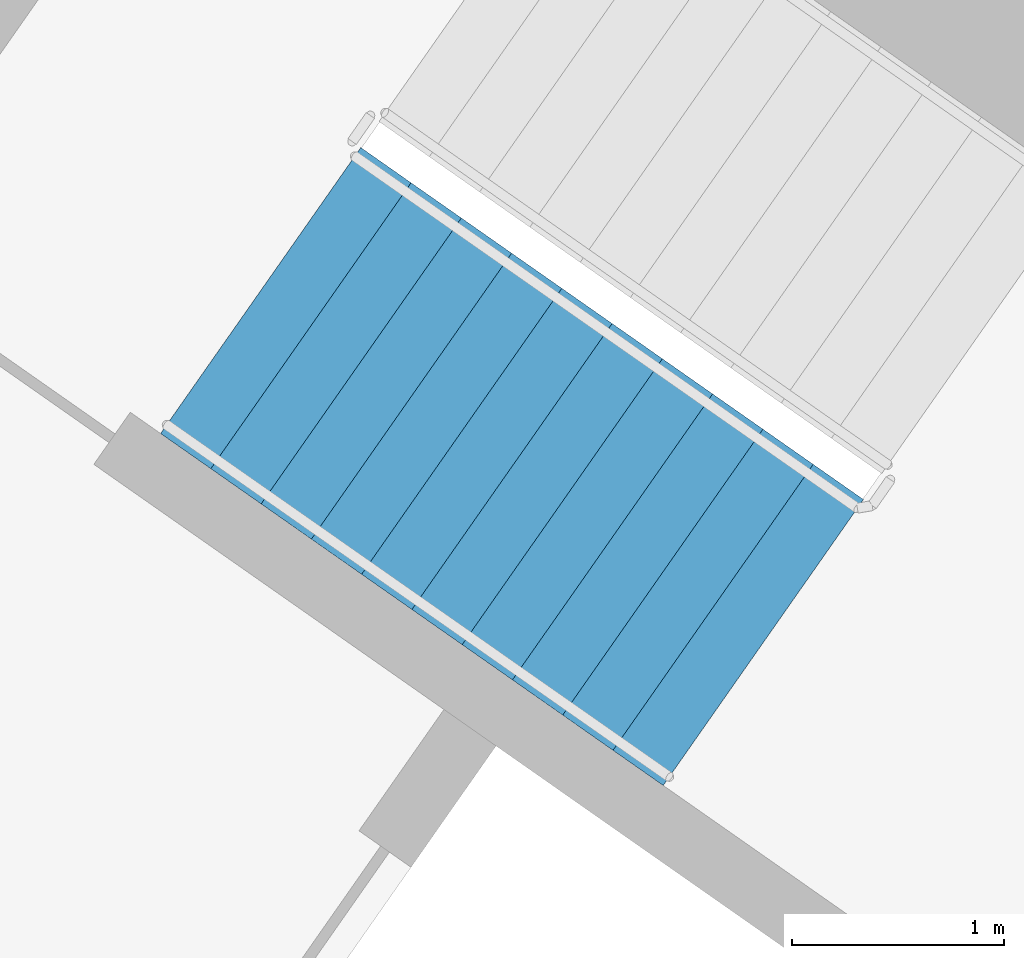
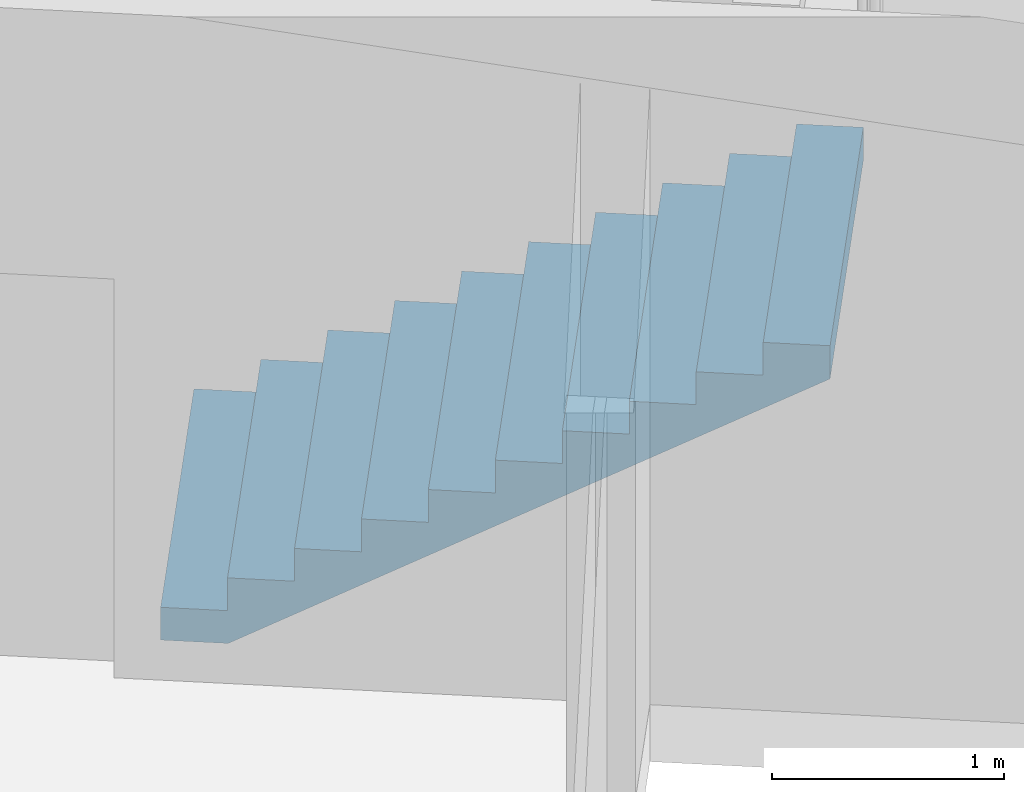
# One storey, part 13 of 30: 1 stair flight, 1 element without a shape of its own.
"""IFC4 building model written with IfcOpenShell, lengths in metres."""

from ifc_helpers import new_model, si_unit, direction, frame, origin, place, context, subcontext, project, spatial, faceted_brep, material, type_object, element, aggregate, save


model = new_model("IFC4")

# Units and contexts
model_context = context("Model", 3, precision=1e-05, world=origin(), true_north=direction((0.0, 1.0)))
body_context = subcontext(model_context, "Body", "Model", "MODEL_VIEW")
ifc_project = project(units=[si_unit("LENGTHUNIT", "METRE"), si_unit("AREAUNIT", "SQUARE_METRE"), si_unit("VOLUMEUNIT", "CUBIC_METRE"), si_unit("PLANEANGLEUNIT", "RADIAN"), si_unit("MASSUNIT", "GRAM", prefix="KILO")], contexts=[model_context])

# Site, building, storey
site_placement = place(None, origin())
site = spatial("IfcSite", under=ifc_project, at=site_placement, CompositionType="ELEMENT")
building_placement = place(site_placement, origin())
building = spatial("IfcBuilding", under=site, at=building_placement, Name="Qamariyya Broadcast Tower", CompositionType="ELEMENT")
storey_placement = place(building_placement, frame((0.0, 0.0, 125.300048828125)))
storey = spatial("IfcBuildingStorey", under=building, at=storey_placement, Name="L28", CompositionType="ELEMENT", Elevation=125.300048828125)

# Stair, stair flight
ifc_material = material(Name="Concrete C50/60", Category="concrete")
stair_type = type_object("IfcStairType", Name="Exit stair 22 risers of 173 mm", PredefinedType="HALF_TURN_STAIR", material=ifc_material)
stair_placement = place(storey_placement, origin())
stair = element("IfcStair", 1, at=stair_placement, inside=storey, type_object=stair_type, Name="L28 Stair W2", PredefinedType="HALF_TURN_STAIR")
stair_flight_type = type_object("IfcStairFlightType", Name="Exit stair flight 11 risers of 173 mm", PredefinedType="STRAIGHT", material=ifc_material)
stair_flight_placement = place(storey_placement, frame((-41.59130859375, -49.15966796875, 0.0), z_axis=(0.0, 0.0, 1.0), x_axis=(0.819152044289, -0.573576436351, 0.0)))
stair_flight = element("IfcStairFlight", 2, at=stair_flight_placement, type_object=stair_flight_type, Name="ST-W2 flight 1", NumberOfRisers=11, NumberOfTreads=10, PredefinedType="STRAIGHT", RiserHeight=0.172727273, TreadLength=0.29, context=body_context, shape_type="Brep", body=[
    faceted_brep([(0.0, 0.824951171875, 0.0), (0.0, 0.824951171875, 0.172607421875), (0.2900390625, 0.824951171875, 0.172607421875), (0.2900390625, 0.824951171875, 0.345458984375), (0.580078125, 0.824951171875, 0.345458984375), (0.580078125, 0.824951171875, 0.51806640625), (0.8701171875, 0.824951171875, 0.51806640625), (0.8701171875, 0.824951171875, 0.69091796875), (1.159912109375, 0.824951171875, 0.69091796875), (1.159912109375, 0.824951171875, 0.863525390625), (1.449951171875, 0.824951171875, 0.863525390625), (1.449951171875, 0.824951171875, 1.036376953125), (1.739990234375, 0.824951171875, 1.036376953125), (1.739990234375, 0.824951171875, 1.208984375), (2.030029296875, 0.824951171875, 1.208984375), (2.030029296875, 0.824951171875, 1.3818359375), (2.320068359375, 0.824951171875, 1.3818359375), (2.320068359375, 0.824951171875, 1.554443359375), (2.610107421875, 0.824951171875, 1.554443359375), (2.610107421875, 0.824951171875, 1.727294921875), (2.89990234375, 0.824951171875, 1.727294921875), (2.89990234375, 0.824951171875, 1.552734375), (0.29296875, 0.824951171875, 0.0), (0.29296875, -0.824951171875, 0.0), (2.89990234375, -0.824951171875, 1.552734375), (2.89990234375, -0.824951171875, 1.727294921875), (2.610107421875, -0.824951171875, 1.727294921875), (2.610107421875, -0.824951171875, 1.554443359375), (2.320068359375, -0.824951171875, 1.554443359375), (2.320068359375, -0.824951171875, 1.3818359375), (2.030029296875, -0.824951171875, 1.3818359375), (2.030029296875, -0.824951171875, 1.208984375), (1.739990234375, -0.824951171875, 1.208984375), (1.739990234375, -0.824951171875, 1.036376953125), (1.449951171875, -0.824951171875, 1.036376953125), (1.449951171875, -0.824951171875, 0.863525390625), (1.159912109375, -0.824951171875, 0.863525390625), (1.159912109375, -0.824951171875, 0.69091796875), (0.8701171875, -0.824951171875, 0.69091796875), (0.8701171875, -0.824951171875, 0.51806640625), (0.580078125, -0.824951171875, 0.51806640625), (0.580078125, -0.824951171875, 0.345458984375), (0.2900390625, -0.824951171875, 0.345458984375), (0.2900390625, -0.824951171875, 0.172607421875), (0.0, -0.824951171875, 0.172607421875), (0.0, -0.824951171875, 0.0), (0.0, 0.10009765625, 0.0), (0.0, 0.086669921875, 0.0), (0.0, 0.0732421875, 0.0), (0.0, 0.06005859375, 0.0), (0.0, 0.046630859375, 0.0), (0.0, 0.033447265625, 0.0), (0.0, 0.02001953125, 0.0), (0.0, 0.006591796875, 0.0), (0.0, -0.006591796875, 0.0), (0.0, -0.02001953125, 0.0), (0.0, -0.033447265625, 0.0), (0.0, -0.046630859375, 0.0), (0.0, -0.06005859375, 0.0), (0.0, -0.0732421875, 0.0), (0.0, -0.086669921875, 0.0), (0.0, -0.10009765625, 0.0), (0.0, -0.10009765625, 0.172607421875), (0.0, -0.086669921875, 0.172607421875), (0.0, -0.0732421875, 0.172607421875), (0.0, -0.06005859375, 0.172607421875), (0.0, -0.046630859375, 0.172607421875), (0.0, -0.033447265625, 0.172607421875), (0.0, -0.02001953125, 0.172607421875), (0.0, -0.006591796875, 0.172607421875), (0.0, 0.006591796875, 0.172607421875), (0.0, 0.02001953125, 0.172607421875), (0.0, 0.033447265625, 0.172607421875), (0.0, 0.046630859375, 0.172607421875), (0.0, 0.06005859375, 0.172607421875), (0.0, 0.0732421875, 0.172607421875), (0.0, 0.086669921875, 0.172607421875), (0.0, 0.10009765625, 0.172607421875), (0.2900390625, -0.10009765625, 0.172607421875), (0.2900390625, -0.086669921875, 0.172607421875), (0.2900390625, -0.0732421875, 0.172607421875), (0.2900390625, -0.06005859375, 0.172607421875), (0.2900390625, -0.046630859375, 0.172607421875), (0.2900390625, -0.033447265625, 0.172607421875), (0.2900390625, -0.02001953125, 0.172607421875), (0.2900390625, -0.006591796875, 0.172607421875), (0.2900390625, 0.006591796875, 0.172607421875), (0.2900390625, 0.02001953125, 0.172607421875), (0.2900390625, 0.033447265625, 0.172607421875), (0.2900390625, 0.046630859375, 0.172607421875), (0.2900390625, 0.06005859375, 0.172607421875), (0.2900390625, 0.0732421875, 0.172607421875), (0.2900390625, 0.086669921875, 0.172607421875), (0.2900390625, 0.10009765625, 0.172607421875), (0.2900390625, -0.10009765625, 0.345458984375), (0.2900390625, -0.086669921875, 0.345458984375), (0.2900390625, -0.0732421875, 0.345458984375), (0.2900390625, -0.06005859375, 0.345458984375), (0.2900390625, -0.046630859375, 0.345458984375), (0.2900390625, -0.033447265625, 0.345458984375), (0.2900390625, -0.02001953125, 0.345458984375), (0.2900390625, -0.006591796875, 0.345458984375), (0.2900390625, 0.006591796875, 0.345458984375), (0.2900390625, 0.02001953125, 0.345458984375), (0.2900390625, 0.033447265625, 0.345458984375), (0.2900390625, 0.046630859375, 0.345458984375), (0.2900390625, 0.06005859375, 0.345458984375), (0.2900390625, 0.0732421875, 0.345458984375), (0.2900390625, 0.086669921875, 0.345458984375), (0.2900390625, 0.10009765625, 0.345458984375), (0.580078125, -0.10009765625, 0.345458984375), (0.580078125, -0.086669921875, 0.345458984375), (0.580078125, -0.0732421875, 0.345458984375), (0.580078125, -0.06005859375, 0.345458984375), (0.580078125, -0.046630859375, 0.345458984375), (0.580078125, -0.033447265625, 0.345458984375), (0.580078125, -0.02001953125, 0.345458984375), (0.580078125, -0.006591796875, 0.345458984375), (0.580078125, 0.006591796875, 0.345458984375), (0.580078125, 0.02001953125, 0.345458984375), (0.580078125, 0.033447265625, 0.345458984375), (0.580078125, 0.046630859375, 0.345458984375), (0.580078125, 0.06005859375, 0.345458984375), (0.580078125, 0.0732421875, 0.345458984375), (0.580078125, 0.086669921875, 0.345458984375), (0.580078125, 0.10009765625, 0.345458984375), (0.580078125, -0.10009765625, 0.51806640625), (0.580078125, -0.086669921875, 0.51806640625), (0.580078125, -0.0732421875, 0.51806640625), (0.580078125, -0.06005859375, 0.51806640625), (0.580078125, -0.046630859375, 0.51806640625), (0.580078125, -0.033447265625, 0.51806640625), (0.580078125, -0.02001953125, 0.51806640625), (0.580078125, -0.006591796875, 0.51806640625), (0.580078125, 0.006591796875, 0.51806640625), (0.580078125, 0.02001953125, 0.51806640625), (0.580078125, 0.033447265625, 0.51806640625), (0.580078125, 0.046630859375, 0.51806640625), (0.580078125, 0.06005859375, 0.51806640625), (0.580078125, 0.0732421875, 0.51806640625), (0.580078125, 0.086669921875, 0.51806640625), (0.580078125, 0.10009765625, 0.51806640625), (0.8701171875, -0.10009765625, 0.51806640625), (0.8701171875, -0.086669921875, 0.51806640625), (0.8701171875, -0.0732421875, 0.51806640625), (0.8701171875, -0.06005859375, 0.51806640625), (0.8701171875, -0.046630859375, 0.51806640625), (0.8701171875, -0.033447265625, 0.51806640625), (0.8701171875, -0.02001953125, 0.51806640625), (0.8701171875, -0.006591796875, 0.51806640625), (0.8701171875, 0.006591796875, 0.51806640625), (0.8701171875, 0.02001953125, 0.51806640625), (0.8701171875, 0.033447265625, 0.51806640625), (0.8701171875, 0.046630859375, 0.51806640625), (0.8701171875, 0.06005859375, 0.51806640625), (0.8701171875, 0.0732421875, 0.51806640625), (0.8701171875, 0.086669921875, 0.51806640625), (0.8701171875, 0.10009765625, 0.51806640625), (0.8701171875, -0.10009765625, 0.69091796875), (0.8701171875, -0.086669921875, 0.69091796875), (0.8701171875, -0.0732421875, 0.69091796875), (0.8701171875, -0.06005859375, 0.69091796875), (0.8701171875, -0.046630859375, 0.69091796875), (0.8701171875, -0.033447265625, 0.69091796875), (0.8701171875, -0.02001953125, 0.69091796875), (0.8701171875, -0.006591796875, 0.69091796875), (0.8701171875, 0.006591796875, 0.69091796875), (0.8701171875, 0.02001953125, 0.69091796875), (0.8701171875, 0.033447265625, 0.69091796875), (0.8701171875, 0.046630859375, 0.69091796875), (0.8701171875, 0.06005859375, 0.69091796875), (0.8701171875, 0.0732421875, 0.69091796875), (0.8701171875, 0.086669921875, 0.69091796875), (0.8701171875, 0.10009765625, 0.69091796875), (1.159912109375, -0.10009765625, 0.69091796875), (1.159912109375, -0.086669921875, 0.69091796875), (1.159912109375, -0.0732421875, 0.69091796875), (1.159912109375, -0.06005859375, 0.69091796875), (1.159912109375, -0.046630859375, 0.69091796875), (1.159912109375, -0.033447265625, 0.69091796875), (1.159912109375, -0.02001953125, 0.69091796875), (1.159912109375, -0.006591796875, 0.69091796875), (1.159912109375, 0.006591796875, 0.69091796875), (1.159912109375, 0.02001953125, 0.69091796875), (1.159912109375, 0.033447265625, 0.69091796875), (1.159912109375, 0.046630859375, 0.69091796875), (1.159912109375, 0.06005859375, 0.69091796875), (1.159912109375, 0.0732421875, 0.69091796875), (1.159912109375, 0.086669921875, 0.69091796875), (1.159912109375, 0.10009765625, 0.69091796875), (1.159912109375, -0.10009765625, 0.863525390625), (1.159912109375, -0.086669921875, 0.863525390625), (1.159912109375, -0.0732421875, 0.863525390625), (1.159912109375, -0.06005859375, 0.863525390625), (1.159912109375, -0.046630859375, 0.863525390625), (1.159912109375, -0.033447265625, 0.863525390625), (1.159912109375, -0.02001953125, 0.863525390625), (1.159912109375, -0.006591796875, 0.863525390625), (1.159912109375, 0.006591796875, 0.863525390625), (1.159912109375, 0.02001953125, 0.863525390625), (1.159912109375, 0.033447265625, 0.863525390625), (1.159912109375, 0.046630859375, 0.863525390625), (1.159912109375, 0.06005859375, 0.863525390625), (1.159912109375, 0.0732421875, 0.863525390625), (1.159912109375, 0.086669921875, 0.863525390625), (1.159912109375, 0.10009765625, 0.863525390625), (1.449951171875, -0.10009765625, 0.863525390625), (1.449951171875, -0.086669921875, 0.863525390625), (1.449951171875, -0.0732421875, 0.863525390625), (1.449951171875, -0.06005859375, 0.863525390625), (1.449951171875, -0.046630859375, 0.863525390625), (1.449951171875, -0.033447265625, 0.863525390625), (1.449951171875, -0.02001953125, 0.863525390625), (1.449951171875, -0.006591796875, 0.863525390625), (1.449951171875, 0.006591796875, 0.863525390625), (1.449951171875, 0.02001953125, 0.863525390625), (1.449951171875, 0.033447265625, 0.863525390625), (1.449951171875, 0.046630859375, 0.863525390625), (1.449951171875, 0.06005859375, 0.863525390625), (1.449951171875, 0.0732421875, 0.863525390625), (1.449951171875, 0.086669921875, 0.863525390625), (1.449951171875, 0.10009765625, 0.863525390625), (1.449951171875, -0.10009765625, 1.036376953125), (1.449951171875, -0.086669921875, 1.036376953125), (1.449951171875, -0.0732421875, 1.036376953125), (1.449951171875, -0.06005859375, 1.036376953125), (1.449951171875, -0.046630859375, 1.036376953125), (1.449951171875, -0.033447265625, 1.036376953125), (1.449951171875, -0.02001953125, 1.036376953125), (1.449951171875, -0.006591796875, 1.036376953125), (1.449951171875, 0.006591796875, 1.036376953125), (1.449951171875, 0.02001953125, 1.036376953125), (1.449951171875, 0.033447265625, 1.036376953125), (1.449951171875, 0.046630859375, 1.036376953125), (1.449951171875, 0.06005859375, 1.036376953125), (1.449951171875, 0.0732421875, 1.036376953125), (1.449951171875, 0.086669921875, 1.036376953125), (1.449951171875, 0.10009765625, 1.036376953125), (1.739990234375, -0.10009765625, 1.036376953125), (1.739990234375, -0.086669921875, 1.036376953125), (1.739990234375, -0.0732421875, 1.036376953125), (1.739990234375, -0.06005859375, 1.036376953125), (1.739990234375, -0.046630859375, 1.036376953125), (1.739990234375, -0.033447265625, 1.036376953125), (1.739990234375, -0.02001953125, 1.036376953125), (1.739990234375, -0.006591796875, 1.036376953125), (1.739990234375, 0.006591796875, 1.036376953125), (1.739990234375, 0.02001953125, 1.036376953125), (1.739990234375, 0.033447265625, 1.036376953125), (1.739990234375, 0.046630859375, 1.036376953125), (1.739990234375, 0.06005859375, 1.036376953125), (1.739990234375, 0.0732421875, 1.036376953125), (1.739990234375, 0.086669921875, 1.036376953125), (1.739990234375, 0.10009765625, 1.036376953125), (1.739990234375, -0.10009765625, 1.208984375), (1.739990234375, -0.086669921875, 1.208984375), (1.739990234375, -0.0732421875, 1.208984375), (1.739990234375, -0.06005859375, 1.208984375), (1.739990234375, -0.046630859375, 1.208984375), (1.739990234375, -0.033447265625, 1.208984375), (1.739990234375, -0.02001953125, 1.208984375), (1.739990234375, -0.006591796875, 1.208984375), (1.739990234375, 0.006591796875, 1.208984375), (1.739990234375, 0.02001953125, 1.208984375), (1.739990234375, 0.033447265625, 1.208984375), (1.739990234375, 0.046630859375, 1.208984375), (1.739990234375, 0.06005859375, 1.208984375), (1.739990234375, 0.0732421875, 1.208984375), (1.739990234375, 0.086669921875, 1.208984375), (1.739990234375, 0.10009765625, 1.208984375), (2.030029296875, -0.10009765625, 1.208984375), (2.030029296875, -0.086669921875, 1.208984375), (2.030029296875, -0.0732421875, 1.208984375), (2.030029296875, -0.06005859375, 1.208984375), (2.030029296875, -0.046630859375, 1.208984375), (2.030029296875, -0.033447265625, 1.208984375), (2.030029296875, -0.02001953125, 1.208984375), (2.030029296875, -0.006591796875, 1.208984375), (2.030029296875, 0.006591796875, 1.208984375), (2.030029296875, 0.02001953125, 1.208984375), (2.030029296875, 0.033447265625, 1.208984375), (2.030029296875, 0.046630859375, 1.208984375), (2.030029296875, 0.06005859375, 1.208984375), (2.030029296875, 0.0732421875, 1.208984375), (2.030029296875, 0.086669921875, 1.208984375), (2.030029296875, 0.10009765625, 1.208984375), (2.030029296875, -0.10009765625, 1.3818359375), (2.030029296875, -0.086669921875, 1.3818359375), (2.030029296875, -0.0732421875, 1.3818359375), (2.030029296875, -0.06005859375, 1.3818359375), (2.030029296875, -0.046630859375, 1.3818359375), (2.030029296875, -0.033447265625, 1.3818359375), (2.030029296875, -0.02001953125, 1.3818359375), (2.030029296875, -0.006591796875, 1.3818359375), (2.030029296875, 0.006591796875, 1.3818359375), (2.030029296875, 0.02001953125, 1.3818359375), (2.030029296875, 0.033447265625, 1.3818359375), (2.030029296875, 0.046630859375, 1.3818359375), (2.030029296875, 0.06005859375, 1.3818359375), (2.030029296875, 0.0732421875, 1.3818359375), (2.030029296875, 0.086669921875, 1.3818359375), (2.030029296875, 0.10009765625, 1.3818359375), (2.320068359375, -0.10009765625, 1.3818359375), (2.320068359375, -0.086669921875, 1.3818359375), (2.320068359375, -0.0732421875, 1.3818359375), (2.320068359375, -0.06005859375, 1.3818359375), (2.320068359375, -0.046630859375, 1.3818359375), (2.320068359375, -0.033447265625, 1.3818359375), (2.320068359375, -0.02001953125, 1.3818359375), (2.320068359375, -0.006591796875, 1.3818359375), (2.320068359375, 0.006591796875, 1.3818359375), (2.320068359375, 0.02001953125, 1.3818359375), (2.320068359375, 0.033447265625, 1.3818359375), (2.320068359375, 0.046630859375, 1.3818359375), (2.320068359375, 0.06005859375, 1.3818359375), (2.320068359375, 0.0732421875, 1.3818359375), (2.320068359375, 0.086669921875, 1.3818359375), (2.320068359375, 0.10009765625, 1.3818359375), (2.320068359375, -0.10009765625, 1.554443359375), (2.320068359375, -0.086669921875, 1.554443359375), (2.320068359375, -0.0732421875, 1.554443359375), (2.320068359375, -0.06005859375, 1.554443359375), (2.320068359375, -0.046630859375, 1.554443359375), (2.320068359375, -0.033447265625, 1.554443359375), (2.320068359375, -0.02001953125, 1.554443359375), (2.320068359375, -0.006591796875, 1.554443359375), (2.320068359375, 0.006591796875, 1.554443359375), (2.320068359375, 0.02001953125, 1.554443359375), (2.320068359375, 0.033447265625, 1.554443359375), (2.320068359375, 0.046630859375, 1.554443359375), (2.320068359375, 0.06005859375, 1.554443359375), (2.320068359375, 0.0732421875, 1.554443359375), (2.320068359375, 0.086669921875, 1.554443359375), (2.320068359375, 0.10009765625, 1.554443359375), (2.610107421875, -0.10009765625, 1.554443359375), (2.610107421875, -0.086669921875, 1.554443359375), (2.610107421875, -0.0732421875, 1.554443359375), (2.610107421875, -0.06005859375, 1.554443359375), (2.610107421875, -0.046630859375, 1.554443359375), (2.610107421875, -0.033447265625, 1.554443359375), (2.610107421875, -0.02001953125, 1.554443359375), (2.610107421875, -0.006591796875, 1.554443359375), (2.610107421875, 0.006591796875, 1.554443359375), (2.610107421875, 0.02001953125, 1.554443359375), (2.610107421875, 0.033447265625, 1.554443359375), (2.610107421875, 0.046630859375, 1.554443359375), (2.610107421875, 0.06005859375, 1.554443359375), (2.610107421875, 0.0732421875, 1.554443359375), (2.610107421875, 0.086669921875, 1.554443359375), (2.610107421875, 0.10009765625, 1.554443359375), (2.610107421875, -0.10009765625, 1.727294921875), (2.610107421875, -0.086669921875, 1.727294921875), (2.610107421875, -0.0732421875, 1.727294921875), (2.610107421875, -0.06005859375, 1.727294921875), (2.610107421875, -0.046630859375, 1.727294921875), (2.610107421875, -0.033447265625, 1.727294921875), (2.610107421875, -0.02001953125, 1.727294921875), (2.610107421875, -0.006591796875, 1.727294921875), (2.610107421875, 0.006591796875, 1.727294921875), (2.610107421875, 0.02001953125, 1.727294921875), (2.610107421875, 0.033447265625, 1.727294921875), (2.610107421875, 0.046630859375, 1.727294921875), (2.610107421875, 0.06005859375, 1.727294921875), (2.610107421875, 0.0732421875, 1.727294921875), (2.610107421875, 0.086669921875, 1.727294921875), (2.610107421875, 0.10009765625, 1.727294921875), (2.89990234375, -0.10009765625, 1.727294921875), (2.89990234375, -0.086669921875, 1.727294921875), (2.89990234375, -0.0732421875, 1.727294921875), (2.89990234375, -0.06005859375, 1.727294921875), (2.89990234375, -0.046630859375, 1.727294921875), (2.89990234375, -0.033447265625, 1.727294921875), (2.89990234375, -0.02001953125, 1.727294921875), (2.89990234375, -0.006591796875, 1.727294921875), (2.89990234375, 0.006591796875, 1.727294921875), (2.89990234375, 0.02001953125, 1.727294921875), (2.89990234375, 0.033447265625, 1.727294921875), (2.89990234375, 0.046630859375, 1.727294921875), (2.89990234375, 0.06005859375, 1.727294921875), (2.89990234375, 0.0732421875, 1.727294921875), (2.89990234375, 0.086669921875, 1.727294921875), (2.89990234375, 0.10009765625, 1.727294921875), (2.89990234375, -0.10009765625, 1.552734375), (2.89990234375, -0.086669921875, 1.552734375), (2.89990234375, -0.0732421875, 1.552734375), (2.89990234375, -0.06005859375, 1.552734375), (2.89990234375, -0.046630859375, 1.552734375), (2.89990234375, -0.033447265625, 1.552734375), (2.89990234375, -0.02001953125, 1.552734375), (2.89990234375, -0.006591796875, 1.552734375), (2.89990234375, 0.006591796875, 1.552734375), (2.89990234375, 0.02001953125, 1.552734375), (2.89990234375, 0.033447265625, 1.552734375), (2.89990234375, 0.046630859375, 1.552734375), (2.89990234375, 0.06005859375, 1.552734375), (2.89990234375, 0.0732421875, 1.552734375), (2.89990234375, 0.086669921875, 1.552734375), (2.89990234375, 0.10009765625, 1.552734375), (0.29296875, -0.10009765625, 0.0), (0.29296875, -0.086669921875, 0.0), (0.29296875, -0.0732421875, 0.0), (0.29296875, -0.06005859375, 0.0), (0.29296875, -0.046630859375, 0.0), (0.29296875, -0.033447265625, 0.0), (0.29296875, -0.02001953125, 0.0), (0.29296875, -0.006591796875, 0.0), (0.29296875, 0.006591796875, 0.0), (0.29296875, 0.02001953125, 0.0), (0.29296875, 0.033447265625, 0.0), (0.29296875, 0.046630859375, 0.0), (0.29296875, 0.06005859375, 0.0), (0.29296875, 0.0732421875, 0.0), (0.29296875, 0.086669921875, 0.0), (0.29296875, 0.10009765625, 0.0)], [[[0, 1, 2, 3, 4, 5, 6, 7, 8, 9, 10, 11, 12, 13, 14, 15, 16, 17, 18, 19, 20, 21, 22]], [[23, 24, 25, 26, 27, 28, 29, 30, 31, 32, 33, 34, 35, 36, 37, 38, 39, 40, 41, 42, 43, 44, 45]], [[0, 46, 47, 48, 49, 50, 51, 52, 53, 54, 55, 56, 57, 58, 59, 60, 61, 45, 44, 62, 63, 64, 65, 66, 67, 68, 69, 70, 71, 72, 73, 74, 75, 76, 77, 1]], [[1, 77, 76, 75, 74, 73, 72, 71, 70, 69, 68, 67, 66, 65, 64, 63, 62, 44, 43, 78, 79, 80, 81, 82, 83, 84, 85, 86, 87, 88, 89, 90, 91, 92, 93, 2]], [[2, 93, 92, 91, 90, 89, 88, 87, 86, 85, 84, 83, 82, 81, 80, 79, 78, 43, 42, 94, 95, 96, 97, 98, 99, 100, 101, 102, 103, 104, 105, 106, 107, 108, 109, 3]], [[3, 109, 108, 107, 106, 105, 104, 103, 102, 101, 100, 99, 98, 97, 96, 95, 94, 42, 41, 110, 111, 112, 113, 114, 115, 116, 117, 118, 119, 120, 121, 122, 123, 124, 125, 4]], [[4, 125, 124, 123, 122, 121, 120, 119, 118, 117, 116, 115, 114, 113, 112, 111, 110, 41, 40, 126, 127, 128, 129, 130, 131, 132, 133, 134, 135, 136, 137, 138, 139, 140, 141, 5]], [[5, 141, 140, 139, 138, 137, 136, 135, 134, 133, 132, 131, 130, 129, 128, 127, 126, 40, 39, 142, 143, 144, 145, 146, 147, 148, 149, 150, 151, 152, 153, 154, 155, 156, 157, 6]], [[6, 157, 156, 155, 154, 153, 152, 151, 150, 149, 148, 147, 146, 145, 144, 143, 142, 39, 38, 158, 159, 160, 161, 162, 163, 164, 165, 166, 167, 168, 169, 170, 171, 172, 173, 7]], [[7, 173, 172, 171, 170, 169, 168, 167, 166, 165, 164, 163, 162, 161, 160, 159, 158, 38, 37, 174, 175, 176, 177, 178, 179, 180, 181, 182, 183, 184, 185, 186, 187, 188, 189, 8]], [[8, 189, 188, 187, 186, 185, 184, 183, 182, 181, 180, 179, 178, 177, 176, 175, 174, 37, 36, 190, 191, 192, 193, 194, 195, 196, 197, 198, 199, 200, 201, 202, 203, 204, 205, 9]], [[9, 205, 204, 203, 202, 201, 200, 199, 198, 197, 196, 195, 194, 193, 192, 191, 190, 36, 35, 206, 207, 208, 209, 210, 211, 212, 213, 214, 215, 216, 217, 218, 219, 220, 221, 10]], [[10, 221, 220, 219, 218, 217, 216, 215, 214, 213, 212, 211, 210, 209, 208, 207, 206, 35, 34, 222, 223, 224, 225, 226, 227, 228, 229, 230, 231, 232, 233, 234, 235, 236, 237, 11]], [[11, 237, 236, 235, 234, 233, 232, 231, 230, 229, 228, 227, 226, 225, 224, 223, 222, 34, 33, 238, 239, 240, 241, 242, 243, 244, 245, 246, 247, 248, 249, 250, 251, 252, 253, 12]], [[12, 253, 252, 251, 250, 249, 248, 247, 246, 245, 244, 243, 242, 241, 240, 239, 238, 33, 32, 254, 255, 256, 257, 258, 259, 260, 261, 262, 263, 264, 265, 266, 267, 268, 269, 13]], [[13, 269, 268, 267, 266, 265, 264, 263, 262, 261, 260, 259, 258, 257, 256, 255, 254, 32, 31, 270, 271, 272, 273, 274, 275, 276, 277, 278, 279, 280, 281, 282, 283, 284, 285, 14]], [[14, 285, 284, 283, 282, 281, 280, 279, 278, 277, 276, 275, 274, 273, 272, 271, 270, 31, 30, 286, 287, 288, 289, 290, 291, 292, 293, 294, 295, 296, 297, 298, 299, 300, 301, 15]], [[15, 301, 300, 299, 298, 297, 296, 295, 294, 293, 292, 291, 290, 289, 288, 287, 286, 30, 29, 302, 303, 304, 305, 306, 307, 308, 309, 310, 311, 312, 313, 314, 315, 316, 317, 16]], [[16, 317, 316, 315, 314, 313, 312, 311, 310, 309, 308, 307, 306, 305, 304, 303, 302, 29, 28, 318, 319, 320, 321, 322, 323, 324, 325, 326, 327, 328, 329, 330, 331, 332, 333, 17]], [[17, 333, 332, 331, 330, 329, 328, 327, 326, 325, 324, 323, 322, 321, 320, 319, 318, 28, 27, 334, 335, 336, 337, 338, 339, 340, 341, 342, 343, 344, 345, 346, 347, 348, 349, 18]], [[18, 349, 348, 347, 346, 345, 344, 343, 342, 341, 340, 339, 338, 337, 336, 335, 334, 27, 26, 350, 351, 352, 353, 354, 355, 356, 357, 358, 359, 360, 361, 362, 363, 364, 365, 19]], [[19, 365, 364, 363, 362, 361, 360, 359, 358, 357, 356, 355, 354, 353, 352, 351, 350, 26, 25, 366, 367, 368, 369, 370, 371, 372, 373, 374, 375, 376, 377, 378, 379, 380, 381, 20]], [[20, 381, 380, 379, 378, 377, 376, 375, 374, 373, 372, 371, 370, 369, 368, 367, 366, 25, 24, 382, 383, 384, 385, 386, 387, 388, 389, 390, 391, 392, 393, 394, 395, 396, 397, 21]], [[21, 397, 396, 395, 394, 393, 392, 391, 390, 389, 388, 387, 386, 385, 384, 383, 382, 24, 23, 398, 399, 400, 401, 402, 403, 404, 405, 406, 407, 408, 409, 410, 411, 412, 413, 22]], [[22, 413, 412, 411, 410, 409, 408, 407, 406, 405, 404, 403, 402, 401, 400, 399, 398, 23, 45, 61, 60, 59, 58, 57, 56, 55, 54, 53, 52, 51, 50, 49, 48, 47, 46, 0]]]),
])
aggregate(stair, [stair_flight])

save(model, "model.ifc")
